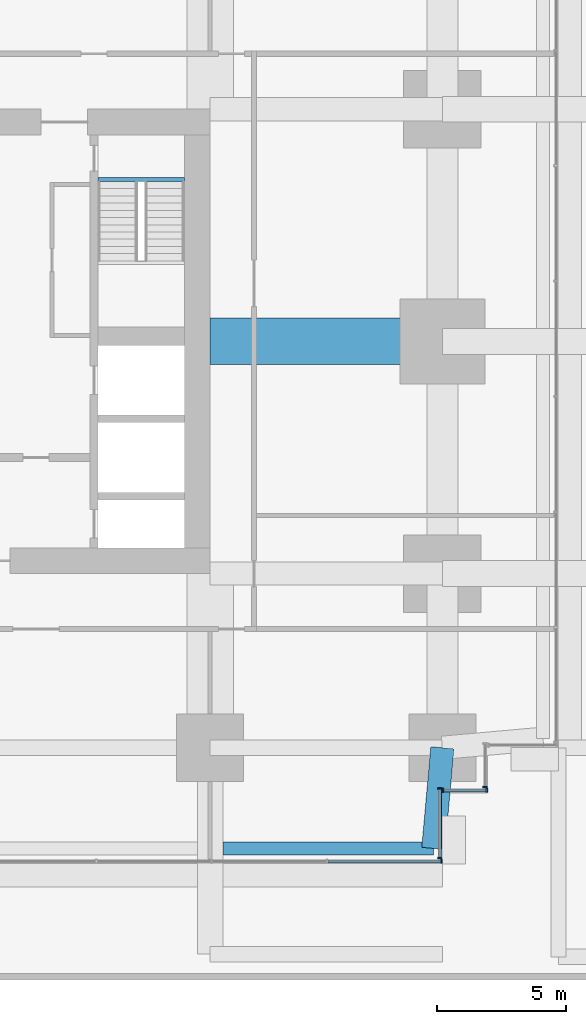
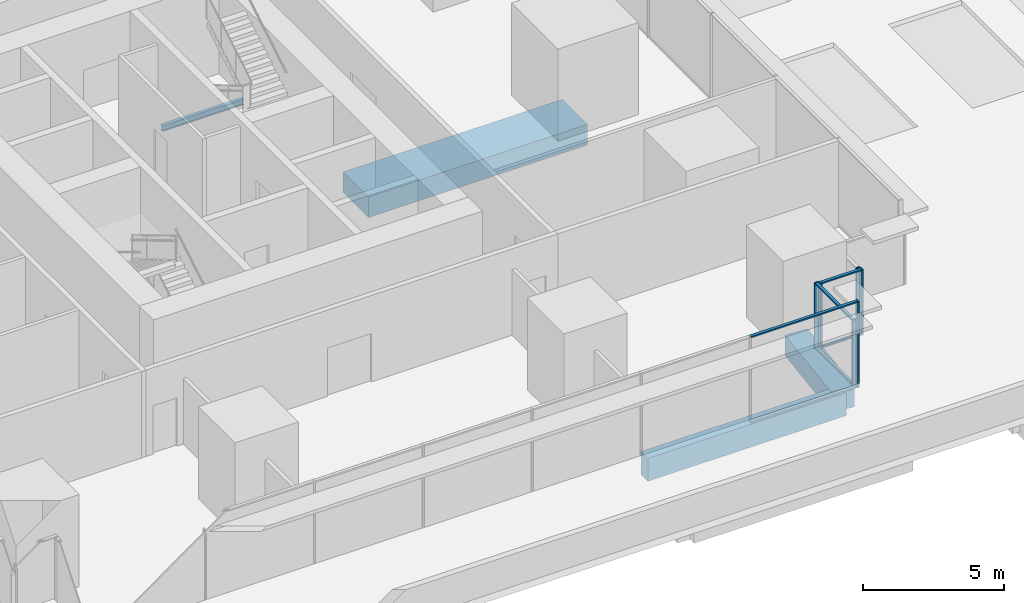
# One storey, part 5 of 34: 12 members, 4 beams, 4 elements without a shape of their own.
"""IFC4 building model written with IfcOpenShell, lengths in metres."""

from ifc_helpers import new_model, si_unit, direction, frame, origin, origin_2d, place, context, subcontext, project, spatial, rectangle, i_section, extrude, material, layer, layer_set, material_profile, profile_set, type_object, element, aggregate, save


model = new_model("IFC4")

# Units and contexts
model_context = context("Model", 3, precision=1e-05, world=origin(), true_north=direction((0.0, 1.0)))
body_context = subcontext(model_context, "Body", "Model", "MODEL_VIEW")
ifc_project = project(units=[si_unit("LENGTHUNIT", "METRE"), si_unit("AREAUNIT", "SQUARE_METRE"), si_unit("VOLUMEUNIT", "CUBIC_METRE"), si_unit("PLANEANGLEUNIT", "RADIAN"), si_unit("MASSUNIT", "GRAM", prefix="KILO")], contexts=[model_context])

# Site, building, storey
site_placement = place(None, origin())
site = spatial("IfcSite", under=ifc_project, at=site_placement, CompositionType="ELEMENT")
building_placement = place(site_placement, origin())
building = spatial("IfcBuilding", under=site, at=building_placement, Name="Namib Vertical Campus", CompositionType="ELEMENT")
storey_placement = place(building_placement, frame((0.0, 0.0, 21.0)))
storey = spatial("IfcBuildingStorey", under=building, at=storey_placement, Name="L04", CompositionType="ELEMENT", Elevation=21.0)

# Curtain wall, member
ifc_material_1 = material(Name="Black aluminium curtain wall", Category="aluminium")
ifc_layer = layer(ifc_material_1, 0.199951171875)
ifc_layer_set = layer_set([ifc_layer], Name="Lounge curtain wall CW-L4")
curtain_wall_type = type_object("IfcCurtainWallType", Name="Lounge curtain wall CW-L4", PredefinedType="USERDEFINED", material=ifc_layer_set)
curtain_wall_1_placement = place(storey_placement, origin())
curtain_wall_1 = element("IfcCurtainWall", 1, at=curtain_wall_1_placement, inside=storey, type_object=curtain_wall_type, Name="Curtain wall CW-L4 L04 F01-1", ObjectType="CURTAIN WALL", PredefinedType="USERDEFINED")
ifc_material_2 = material(Name="Black anodised aluminium", Category="aluminium")
ifc_material_profile_1 = material_profile(ifc_material_2, rectangle(XDim=0.06005859375, YDim=0.159912109375, at=origin_2d()))
ifc_profile_set_1 = profile_set([ifc_material_profile_1], Name="Black anodised aluminium")
member_type_1 = type_object("IfcMemberType", Name="Curtain wall mullion 60x160", PredefinedType="MULLION", material=ifc_profile_set_1)
member_1_placement = place(storey_placement, frame((35.969970703125, 0.10009765625, 0.0), z_axis=(0.0, 0.0, 1.0), x_axis=(1.0, 0.0, 0.0)))
member_1 = element("IfcMember", 2, at=member_1_placement, type_object=member_type_1, Name="CW-L4 mullion 8", PredefinedType="MULLION", context=body_context, shape_type="SweptSolid", body=[
    extrude(rectangle(XDim=0.06005859375, YDim=0.159912109375, at=origin_2d()), origin(), (0.0, 0.0, 1.0), 3.75),
])

# Curtain wall, members
curtain_wall_2_placement = place(storey_placement, origin())
curtain_wall_2 = element("IfcCurtainWall", 3, at=curtain_wall_2_placement, inside=storey, type_object=curtain_wall_type, Name="Curtain wall CW-L4 L04 F02-1", ObjectType="CURTAIN WALL", PredefinedType="USERDEFINED")
member_2_placement = place(storey_placement, frame((35.89990234375, 0.22998046875, 0.0), z_axis=(0.0, 0.0, 1.0), x_axis=(0.0, 1.0, 0.0)))
member_2 = element("IfcMember", 4, at=member_2_placement, type_object=member_type_1, Name="CW-L4 mullion 1", PredefinedType="MULLION", context=body_context, shape_type="SweptSolid", body=[
    extrude(rectangle(XDim=0.06005859375, YDim=0.159912109375, at=origin_2d()), origin(), (0.0, 0.0, 1.0), 2.85009765625),
])
member_3_placement = place(storey_placement, frame((35.89990234375, 2.919921875, 0.0), z_axis=(0.0, 0.0, 1.0), x_axis=(0.0, 1.0, 0.0)))
member_3 = element("IfcMember", 5, at=member_3_placement, type_object=member_type_1, Name="CW-L4 mullion 2", PredefinedType="MULLION", context=body_context, shape_type="SweptSolid", body=[
    extrude(rectangle(XDim=0.06005859375, YDim=0.159912109375, at=origin_2d()), origin(), (0.0, 0.0, 1.0), 2.85009765625),
])

curtain_wall_3_placement = place(storey_placement, origin())
curtain_wall_3 = element("IfcCurtainWall", 6, at=curtain_wall_3_placement, inside=storey, type_object=curtain_wall_type, Name="Curtain wall CW-L4 L04 F03-1", ObjectType="CURTAIN WALL", PredefinedType="USERDEFINED")
member_4_placement = place(storey_placement, frame((36.030029296875, 2.85009765625, 0.0), z_axis=(0.0, 0.0, 1.0), x_axis=(1.0, 0.0, 0.0)))
member_4 = element("IfcMember", 7, at=member_4_placement, type_object=member_type_1, Name="CW-L4 mullion 1", PredefinedType="MULLION", context=body_context, shape_type="SweptSolid", body=[
    extrude(rectangle(XDim=0.06005859375, YDim=0.159912109375, at=origin_2d()), origin(), (0.0, 0.0, 1.0), 2.85009765625),
])
member_5_placement = place(storey_placement, frame((37.719970703125, 2.85009765625, 0.0), z_axis=(0.0, 0.0, 1.0), x_axis=(1.0, 0.0, 0.0)))
member_5 = element("IfcMember", 8, at=member_5_placement, type_object=member_type_1, Name="CW-L4 mullion 2", PredefinedType="MULLION", context=body_context, shape_type="SweptSolid", body=[
    extrude(rectangle(XDim=0.06005859375, YDim=0.159912109375, at=origin_2d()), origin(), (0.0, 0.0, 1.0), 2.85009765625),
])

# Curtain wall, member
curtain_wall_4_placement = place(storey_placement, origin())
curtain_wall_4 = element("IfcCurtainWall", 9, at=curtain_wall_4_placement, inside=storey, type_object=curtain_wall_type, Name="Curtain wall CW-L4 L04 F04-1", ObjectType="CURTAIN WALL", PredefinedType="USERDEFINED")
member_6_placement = place(storey_placement, frame((37.64990234375, 2.97998046875, 0.0), z_axis=(0.0, 0.0, 1.0), x_axis=(0.0, 1.0, 0.0)))
member_6 = element("IfcMember", 10, at=member_6_placement, type_object=member_type_1, Name="CW-L4 mullion 1", PredefinedType="MULLION", context=body_context, shape_type="SweptSolid", body=[
    extrude(rectangle(XDim=0.06005859375, YDim=0.159912109375, at=origin_2d()), origin(), (0.0, 0.0, 1.0), 2.85009765625),
])
aggregate(curtain_wall_4, [member_6])

# Member
ifc_material_3 = material(Name="Black anodised aluminium", Category="aluminium")
ifc_material_profile_2 = material_profile(ifc_material_3, rectangle(XDim=0.06005859375, YDim=0.1201171875, at=origin_2d()))
ifc_profile_set_2 = profile_set([ifc_material_profile_2], Name="Black anodised aluminium")
member_type_2 = type_object("IfcMemberType", Name="Curtain wall transom 60x120", PredefinedType="USERDEFINED", material=ifc_profile_set_2)
member_7_placement = place(storey_placement, frame((31.55859375, 0.10009765625, 0.030029296875), z_axis=(1.0, 0.0, 0.0), x_axis=(0.0, 0.0, 1.0)))
member_7 = element("IfcMember", 11, at=member_7_placement, type_object=member_type_2, Name="CW-L4 transom 7.1", ObjectType="TRANSOM", PredefinedType="USERDEFINED", context=body_context, shape_type="SweptSolid", body=[
    extrude(rectangle(XDim=0.06005859375, YDim=0.1201171875, at=origin_2d()), origin(), (0.0, 0.0, 1.0), 4.38134765625),
])

member_8_placement = place(storey_placement, frame((31.55859375, 0.10009765625, 3.719970703125), z_axis=(1.0, 0.0, 0.0), x_axis=(0.0, 0.0, 1.0)))
member_8 = element("IfcMember", 12, at=member_8_placement, type_object=member_type_2, Name="CW-L4 transom 7.2", ObjectType="TRANSOM", PredefinedType="USERDEFINED", context=body_context, shape_type="SweptSolid", body=[
    extrude(rectangle(XDim=0.06005859375, YDim=0.1201171875, at=origin_2d()), origin(), (0.0, 0.0, 1.0), 4.38134765625),
])

aggregate(curtain_wall_1, [member_1, member_7, member_8])

member_9_placement = place(storey_placement, frame((35.89990234375, 0.260009765625, 0.030029296875), z_axis=(0.0, 1.0, 0.0), x_axis=(0.0, 0.0, 1.0)))
member_9 = element("IfcMember", 13, at=member_9_placement, type_object=member_type_2, Name="CW-L4 transom 1.1", ObjectType="TRANSOM", PredefinedType="USERDEFINED", context=body_context, shape_type="SweptSolid", body=[
    extrude(rectangle(XDim=0.06005859375, YDim=0.1201171875, at=origin_2d()), origin(), (0.0, 0.0, 1.0), 2.6298828125),
])

member_10_placement = place(storey_placement, frame((35.89990234375, 0.260009765625, 2.820068359375), z_axis=(0.0, 1.0, 0.0), x_axis=(0.0, 0.0, 1.0)))
member_10 = element("IfcMember", 14, at=member_10_placement, type_object=member_type_2, Name="CW-L4 transom 1.2", ObjectType="TRANSOM", PredefinedType="USERDEFINED", context=body_context, shape_type="SweptSolid", body=[
    extrude(rectangle(XDim=0.06005859375, YDim=0.1201171875, at=origin_2d()), origin(), (0.0, 0.0, 1.0), 2.6298828125),
])

aggregate(curtain_wall_2, [member_2, member_3, member_9, member_10])

member_11_placement = place(storey_placement, frame((36.06005859375, 2.85009765625, 0.030029296875), z_axis=(1.0, 0.0, 0.0), x_axis=(0.0, 0.0, 1.0)))
member_11 = element("IfcMember", 15, at=member_11_placement, type_object=member_type_2, Name="CW-L4 transom 1.1", ObjectType="TRANSOM", PredefinedType="USERDEFINED", context=body_context, shape_type="SweptSolid", body=[
    extrude(rectangle(XDim=0.06005859375, YDim=0.1201171875, at=origin_2d()), origin(), (0.0, 0.0, 1.0), 1.6298828125),
])

member_12_placement = place(storey_placement, frame((36.06005859375, 2.85009765625, 2.820068359375), z_axis=(1.0, 0.0, 0.0), x_axis=(0.0, 0.0, 1.0)))
member_12 = element("IfcMember", 16, at=member_12_placement, type_object=member_type_2, Name="CW-L4 transom 1.2", ObjectType="TRANSOM", PredefinedType="USERDEFINED", context=body_context, shape_type="SweptSolid", body=[
    extrude(rectangle(XDim=0.06005859375, YDim=0.1201171875, at=origin_2d()), origin(), (0.0, 0.0, 1.0), 1.6298828125),
])

aggregate(curtain_wall_3, [member_4, member_5, member_11, member_12])

# Beams
ifc_material_4 = material(Name="Steel S355JR", Category="steel")
ifc_material_profile_3 = material_profile(ifc_material_4, i_section(OverallWidth=0.14599609375, OverallDepth=0.25146484375, WebThickness=0.006103515625, FlangeThickness=0.008544921875, FilletRadius=0.007568359375, at=origin_2d()))
ifc_profile_set_3 = profile_set([ifc_material_profile_3], Name="Steel S355JR")
beam_type_1 = type_object("IfcBeamType", Name="Landing trimmer UB 254x146x31", PredefinedType="BEAM", material=ifc_profile_set_3)
beam_1_placement = place(storey_placement, frame((22.64990234375, 26.52294921875, -0.125732421875), z_axis=(1.0, 0.0, 0.0), x_axis=(0.0, 1.0, 0.0)))
element("IfcBeam", 17, at=beam_1_placement, inside=storey, type_object=beam_type_1, Name="Landing trimmer LT1 A-S2 L04 1", PredefinedType="BEAM", context=body_context, shape_type="SweptSolid", body=[
    extrude(i_section(OverallWidth=0.14599609375, OverallDepth=0.25146484375, WebThickness=0.006103515625, FlangeThickness=0.008544921875, FilletRadius=0.007568359375, at=origin_2d()), origin(), (0.0, 0.0, 1.0), 3.35009765625),
])
ifc_material_5 = material(Name="Concrete C40/50", Category="concrete")
ifc_material_profile_4 = material_profile(ifc_material_5, rectangle(XDim=1.800048828125, YDim=0.89990234375, at=origin_2d()))
ifc_profile_set_4 = profile_set([ifc_material_profile_4], Name="Concrete C40/50")
beam_type_2 = type_object("IfcBeamType", Name="Outrigger line girder RC 1800x900", PredefinedType="BEAM", material=ifc_profile_set_4)
beam_2_placement = place(storey_placement, frame((36.0, 20.25, -0.75), z_axis=(-1.0, 0.0, 0.0), x_axis=(0.0, -1.0, 0.0)))
element("IfcBeam", 18, at=beam_2_placement, inside=storey, type_object=beam_type_2, Name="Beam B12 L04", PredefinedType="BEAM", context=body_context, shape_type="SweptSolid", body=[
    extrude(rectangle(XDim=1.800048828125, YDim=0.89990234375, at=origin_2d()), origin(), (0.0, 0.0, 1.0), 9.0),
])
ifc_material_6 = material(Name="Concrete C40/50", Category="concrete")
ifc_material_profile_5 = material_profile(ifc_material_6, rectangle(XDim=0.89990234375, YDim=0.89990234375, at=origin_2d()))
ifc_profile_set_5 = profile_set([ifc_material_profile_5], Name="Concrete C40/50")
beam_type_3 = type_object("IfcBeamType", Name="Podium roof corner cantilever RC 900x900", PredefinedType="BEAM", material=ifc_profile_set_5)
beam_3_placement = place(storey_placement, frame((36.0, 4.5, -0.75), z_axis=(-0.089411326146, -0.995994786511, 0.0), x_axis=(0.995994786511, -0.089411326146, 0.0)))
element("IfcBeam", 19, at=beam_3_placement, inside=storey, type_object=beam_type_3, Name="Beam B13 L04", PredefinedType="BEAM", context=body_context, shape_type="SweptSolid", body=[
    extrude(rectangle(XDim=0.89990234375, YDim=0.89990234375, at=origin_2d()), origin(), (0.0, 0.0, 1.0), 3.91552734375),
])
ifc_material_7 = material(Name="Concrete C40/50", Category="concrete")
ifc_material_profile_6 = material_profile(ifc_material_7, rectangle(XDim=0.5, YDim=1.0, at=origin_2d()))
ifc_profile_set_6 = profile_set([ifc_material_profile_6], Name="Concrete C40/50")
beam_type_4 = type_object("IfcBeamType", Name="Podium roof edge beam RC 500x1000", PredefinedType="SPANDREL", material=ifc_profile_set_6)
beam_4_placement = place(storey_placement, frame((27.5, 0.60009765625, -0.800048828125), z_axis=(1.0, 0.0, 0.0), x_axis=(0.0, 1.0, 0.0)))
element("IfcBeam", 20, at=beam_4_placement, inside=storey, type_object=beam_type_4, Name="Beam B8 L04", PredefinedType="SPANDREL", context=body_context, shape_type="SweptSolid", body=[
    extrude(rectangle(XDim=0.5, YDim=1.0, at=origin_2d()), origin(), (0.0, 0.0, 1.0), 8.14990234375),
])

save(model, "model.ifc")
